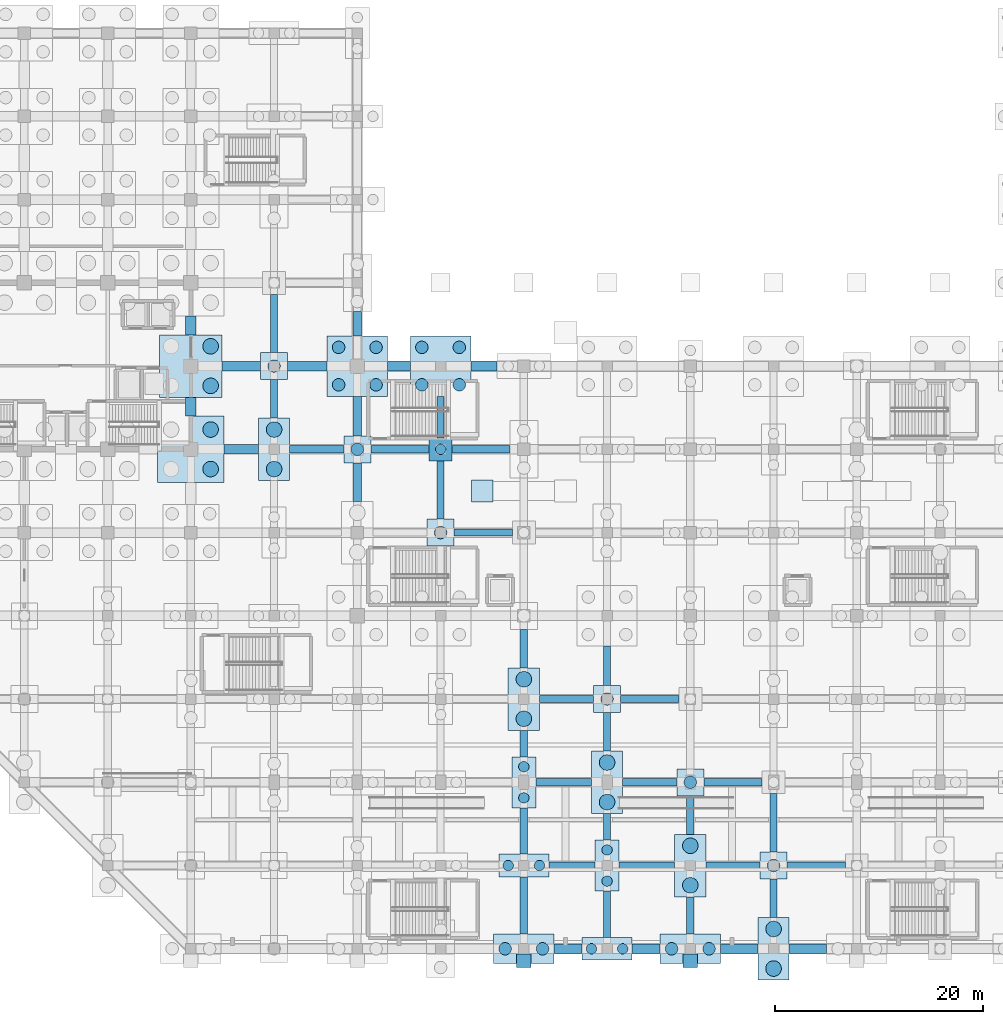
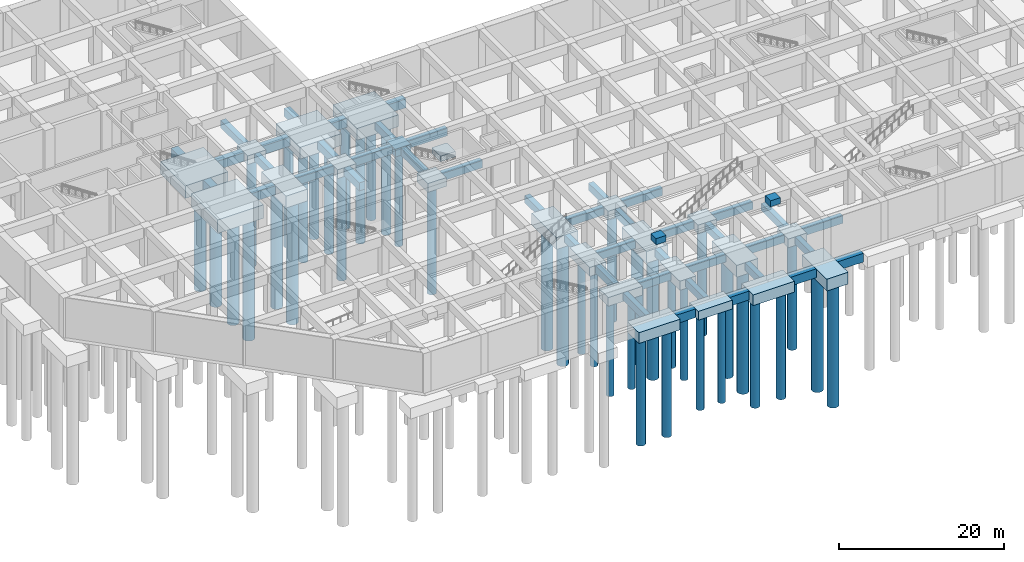
# One storey, part 3 of 26: 68 footings, 41 piles.
"""IFC4 building model written with IfcOpenShell, lengths in metres."""

from ifc_helpers import new_model, si_unit, direction, frame, origin, origin_2d, place, context, subcontext, project, spatial, rectangle, circle, extrude, material, material_profile, profile_set, type_object, element, save


model = new_model("IFC4")

# Units and contexts
model_context = context("Model", 3, precision=1e-05, world=origin(), true_north=direction((0.0, 1.0)))
body_context = subcontext(model_context, "Body", "Model", "MODEL_VIEW")
ifc_project = project(units=[si_unit("LENGTHUNIT", "METRE"), si_unit("AREAUNIT", "SQUARE_METRE"), si_unit("VOLUMEUNIT", "CUBIC_METRE"), si_unit("PLANEANGLEUNIT", "RADIAN"), si_unit("MASSUNIT", "GRAM", prefix="KILO")], contexts=[model_context])

# Site, building, storey
site_placement = place(None, origin())
site = spatial("IfcSite", under=ifc_project, at=site_placement, CompositionType="ELEMENT")
building_placement = place(site_placement, origin())
building = spatial("IfcBuilding", under=site, at=building_placement, Name="Varnela Railside Interchange", CompositionType="ELEMENT")
storey_placement = place(building_placement, frame((0.0, 0.0, -12.60009765625)))
storey = spatial("IfcBuildingStorey", under=building, at=storey_placement, Name="B2", CompositionType="ELEMENT", Elevation=-12.60009765625)

# Footing
ifc_material_1 = material(Name="Concrete C50", Category="concrete")
footing_type_1 = type_object("IfcFootingType", Name="Apron Canopy Pad AP-02", PredefinedType="PAD_FOOTING", material=ifc_material_1)
footing_1_placement = place(storey_placement, frame((64.0, 50.0, -1.60009765625), z_axis=(0.0, 0.0, 1.0), x_axis=(1.0, 0.0, 0.0)))
element("IfcFooting", 1, at=footing_1_placement, inside=storey, type_object=footing_type_1, Name="Apron Canopy Pad AP-02 (FT-0004)", PredefinedType="PAD_FOOTING", context=body_context, shape_type="SweptSolid", body=[
    extrude(rectangle(XDim=2.10009765625, YDim=2.10009765625, at=origin_2d()), origin(), (0.0, 0.0, 1.0), 0.800048828125),
])

# Piles
ifc_material_2 = material(Name="Concrete C40", Category="concrete")
ifc_material_profile_1 = material_profile(ifc_material_2, circle(Radius=0.5, at=origin_2d()), Name="BORED PILE D1000")
ifc_profile_set_1 = profile_set([ifc_material_profile_1], Name="Concrete C40")
pile_type_1 = type_object("IfcPileType", Name="Bored Pile D1000 L14m", PredefinedType="BORED", material=ifc_profile_set_1)
for number, where, z_axis, x_axis, name in (
    (2, (60.0, 54.0, -1.89990234375), (0.0, 0.0, -1.0), (1.0, 0.0, 0.0), "Bored Pile D1000 L14m"),
    (3, (66.5, 14.0, -2.099853515625), (0.0, 0.0, -1.0), (1.0, 0.0, 0.0), "Bored Pile D1000 L14m"),
    (4, (69.5, 14.0, -2.099853515625), (0.0, 0.0, -1.0), (1.0, 0.0, 0.0), "Bored Pile D1000 L14m"),
    (5, (68.0, 20.5, -2.14990234375), (0.0, 0.0, -1.0), (1.0, 0.0, 0.0), "Bored Pile D1000 L14m"),
    (6, (68.0, 23.5, -2.14990234375), (0.0, 0.0, -1.0), (1.0, 0.0, 0.0), "Bored Pile D1000 L14m"),
    (7, (74.5, 6.0, -2.099853515625), (0.0, 0.0, -1.0), (1.0, 0.0, 0.0), "Bored Pile D1000 L14m"),
    (8, (77.5, 6.0, -2.099853515625), (0.0, 0.0, -1.0), (1.0, 0.0, 0.0), "Bored Pile D1000 L14m"),
    (9, (76.0, 12.5, -2.14990234375), (0.0, 0.0, -1.0), (1.0, 0.0, 0.0), "Bored Pile D1000 L14m"),
    (10, (76.0, 15.5, -2.14990234375), (0.0, 0.0, -1.0), (1.0, 0.0, 0.0), "Bored Pile D1000 L14m"),
):
    element("IfcPile", number, at=place(storey_placement, frame(where, z_axis=z_axis, x_axis=x_axis)), inside=storey, type_object=pile_type_1, Name=name, PredefinedType="BORED", context=body_context, shape_type="SweptSolid", body=[
        extrude(circle(Radius=0.5, at=origin_2d()), origin(), (0.0, 0.0, 1.0), 14.0),
    ])
ifc_material_profile_2 = material_profile(ifc_material_2, circle(Radius=0.60009765625, at=origin_2d()), Name="BORED PILE D1200")
ifc_profile_set_2 = profile_set([ifc_material_profile_2], Name="Concrete C40")
pile_type_2 = type_object("IfcPileType", Name="Bored Pile D1200 L16m", PredefinedType="BORED", material=ifc_profile_set_2)
for number, where, z_axis, x_axis, name in (
    (11, (44.0, 62.0, -2.099853515625), (0.0, 0.0, -1.0), (1.0, 0.0, 0.0), "Bored Pile D1200 L16m"),
    (12, (52.0, 54.0, -2.099853515625), (0.0, 0.0, -1.0), (1.0, 0.0, 0.0), "Bored Pile D1200 L16m"),
    (13, (50.199951171875, 60.199951171875, -2.5498046875), (0.0, 0.0, -1.0), (1.0, 0.0, 0.0), "Bored Pile D1200 L16m"),
    (14, (53.800048828125, 60.199951171875, -2.5498046875), (0.0, 0.0, -1.0), (1.0, 0.0, 0.0), "Bored Pile D1200 L16m"),
    (15, (50.199951171875, 63.800048828125, -2.5498046875), (0.0, 0.0, -1.0), (1.0, 0.0, 0.0), "Bored Pile D1200 L16m"),
    (16, (53.800048828125, 63.800048828125, -2.5498046875), (0.0, 0.0, -1.0), (1.0, 0.0, 0.0), "Bored Pile D1200 L16m"),
    (17, (60.0, 46.0, -2.099853515625), (0.0, 0.0, -1.0), (1.0, 0.0, 0.0), "Bored Pile D1200 L16m"),
    (18, (58.199951171875, 60.199951171875, -2.5498046875), (0.0, 0.0, -1.0), (1.0, 0.0, 0.0), "Bored Pile D1200 L16m"),
    (19, (61.800048828125, 60.199951171875, -2.5498046875), (0.0, 0.0, -1.0), (1.0, 0.0, 0.0), "Bored Pile D1200 L16m"),
    (20, (58.199951171875, 63.800048828125, -2.5498046875), (0.0, 0.0, -1.0), (1.0, 0.0, 0.0), "Bored Pile D1200 L16m"),
    (21, (61.800048828125, 63.800048828125, -2.5498046875), (0.0, 0.0, -1.0), (1.0, 0.0, 0.0), "Bored Pile D1200 L16m"),
    (22, (66.199951171875, 6.0, -2.39990234375), (0.0, 0.0, -1.0), (1.0, 0.0, 0.0), "Bored Pile D1200 L16m"),
    (23, (69.800048828125, 6.0, -2.39990234375), (0.0, 0.0, -1.0), (1.0, 0.0, 0.0), "Bored Pile D1200 L16m"),
    (24, (76.0, 30.0, -2.099853515625), (0.0, 0.0, -1.0), (1.0, 0.0, 0.0), "Bored Pile D1200 L16m"),
    (25, (82.199951171875, 6.0, -2.39990234375), (0.0, 0.0, -1.0), (1.0, 0.0, 0.0), "Bored Pile D1200 L16m"),
    (26, (85.800048828125, 6.0, -2.39990234375), (0.0, 0.0, -1.0), (1.0, 0.0, 0.0), "Bored Pile D1200 L16m"),
    (27, (84.0, 22.0, -2.099853515625), (0.0, 0.0, -1.0), (1.0, 0.0, 0.0), "Bored Pile D1200 L16m"),
    (28, (92.0, 14.0, -2.099853515625), (0.0, 0.0, -1.0), (1.0, 0.0, 0.0), "Bored Pile D1200 L16m"),
):
    element("IfcPile", number, at=place(storey_placement, frame(where, z_axis=z_axis, x_axis=x_axis)), inside=storey, type_object=pile_type_2, Name=name, PredefinedType="BORED", context=body_context, shape_type="SweptSolid", body=[
        extrude(circle(Radius=0.60009765625, at=origin_2d()), origin(), (0.0, 0.0, 1.0), 16.0),
    ])
ifc_material_profile_3 = material_profile(ifc_material_2, circle(Radius=0.75, at=origin_2d()), Name="BORED PILE D1500")
ifc_profile_set_3 = profile_set([ifc_material_profile_3], Name="Concrete C40")
pile_type_3 = type_object("IfcPileType", Name="Bored Pile D1500 L18m", PredefinedType="BORED", material=ifc_profile_set_3)
for number, where, z_axis, x_axis, name in (
    (29, (37.89990234375, 52.10009765625, -2.7998046875), (0.0, 0.0, -1.0), (1.0, 0.0, 0.0), "Bored Pile D1500 L18m"),
    (30, (37.89990234375, 55.89990234375, -2.7998046875), (0.0, 0.0, -1.0), (1.0, 0.0, 0.0), "Bored Pile D1500 L18m"),
    (31, (37.89990234375, 60.10009765625, -2.64990234375), (0.0, 0.0, -1.0), (1.0, 0.0, 0.0), "Bored Pile D1500 L18m"),
    (32, (37.89990234375, 63.89990234375, -2.64990234375), (0.0, 0.0, -1.0), (1.0, 0.0, 0.0), "Bored Pile D1500 L18m"),
    (33, (44.0, 52.10009765625, -2.5498046875), (0.0, 0.0, -1.0), (1.0, 0.0, 0.0), "Bored Pile D1500 L18m"),
    (34, (44.0, 55.89990234375, -2.5498046875), (0.0, 0.0, -1.0), (1.0, 0.0, 0.0), "Bored Pile D1500 L18m"),
    (35, (68.0, 28.10009765625, -2.5498046875), (0.0, 0.0, -1.0), (1.0, 0.0, 0.0), "Bored Pile D1500 L18m"),
    (36, (68.0, 31.89990234375, -2.5498046875), (0.0, 0.0, -1.0), (1.0, 0.0, 0.0), "Bored Pile D1500 L18m"),
    (37, (76.0, 20.10009765625, -2.5498046875), (0.0, 0.0, -1.0), (1.0, 0.0, 0.0), "Bored Pile D1500 L18m"),
    (38, (76.0, 23.89990234375, -2.5498046875), (0.0, 0.0, -1.0), (1.0, 0.0, 0.0), "Bored Pile D1500 L18m"),
    (39, (84.0, 12.10009765625, -2.5498046875), (0.0, 0.0, -1.0), (1.0, 0.0, 0.0), "Bored Pile D1500 L18m"),
    (40, (84.0, 15.89990234375, -2.5498046875), (0.0, 0.0, -1.0), (1.0, 0.0, 0.0), "Bored Pile D1500 L18m"),
    (41, (92.0, 4.10009765625, -2.5498046875), (0.0, 0.0, -1.0), (1.0, 0.0, 0.0), "Bored Pile D1500 L18m"),
    (42, (92.0, 7.89990234375, -2.5498046875), (0.0, 0.0, -1.0), (1.0, 0.0, 0.0), "Bored Pile D1500 L18m"),
):
    element("IfcPile", number, at=place(storey_placement, frame(where, z_axis=z_axis, x_axis=x_axis)), inside=storey, type_object=pile_type_3, Name=name, PredefinedType="BORED", context=body_context, shape_type="SweptSolid", body=[
        extrude(circle(Radius=0.75, at=origin_2d()), origin(), (0.0, 0.0, 1.0), 18.0),
    ])

# Footings
footing_type_2 = type_object("IfcFootingType", Name="Four-Pile Core Cap PC-15", PredefinedType="PILE_CAP", material=ifc_material_1)
footing_2_placement = place(storey_placement, frame((36.0, 62.0, -2.64990234375), z_axis=(0.0, 0.0, 1.0), x_axis=(1.0, 0.0, 0.0)))
element("IfcFooting", 43, at=footing_2_placement, inside=storey, type_object=footing_type_2, Name="Four-Pile Core Cap PC-15 (FT-0156)", PredefinedType="PILE_CAP", context=body_context, shape_type="SweptSolid", body=[
    extrude(rectangle(XDim=6.0, YDim=6.0, at=origin_2d()), origin(), (0.0, 0.0, 1.0), 1.85009765625),
])
footing_type_3 = type_object("IfcFootingType", Name="Four-Pile Mega Cap PC-16", PredefinedType="PILE_CAP", material=ifc_material_1)
footing_3_placement = place(storey_placement, frame((36.0, 54.0, -2.7998046875), z_axis=(0.0, 0.0, 1.0), x_axis=(1.0, 0.0, 0.0)))
element("IfcFooting", 44, at=footing_3_placement, inside=storey, type_object=footing_type_3, Name="Four-Pile Mega Cap PC-16 (FT-0155)", PredefinedType="PILE_CAP", context=body_context, shape_type="SweptSolid", body=[
    extrude(rectangle(XDim=6.39990234375, YDim=6.39990234375, at=origin_2d()), origin(), (0.0, 0.0, 1.0), 2.0),
])
footing_type_4 = type_object("IfcFootingType", Name="Four-Pile Transfer PC-12", PredefinedType="PILE_CAP", material=ifc_material_1)
for number, where, z_axis, x_axis, name in (
    (45, (52.0, 62.0, -2.5498046875), (0.0, 0.0, 1.0), (1.0, 0.0, 0.0), "Four-Pile Transfer PC-12 (FT-0180)"),
    (46, (60.0, 62.0, -2.5498046875), (0.0, 0.0, 1.0), (1.0, 0.0, 0.0), "Four-Pile Transfer PC-12 (FT-0192)"),
):
    element("IfcFooting", number, at=place(storey_placement, frame(where, z_axis=z_axis, x_axis=x_axis)), inside=storey, type_object=footing_type_4, Name=name, PredefinedType="PILE_CAP", context=body_context, shape_type="SweptSolid", body=[
        extrude(rectangle(XDim=5.800048828125, YDim=5.800048828125, at=origin_2d()), origin(), (0.0, 0.0, 1.0), 1.75),
    ])
footing_type_5 = type_object("IfcFootingType", Name="Ground Tie Beam GB-01", PredefinedType="FOOTING_BEAM", material=ifc_material_1)
footing_4_placement = place(storey_placement, frame((44.0, 58.85009765625, -1.89990234375), z_axis=(0.0, 0.0, 1.0), x_axis=(1.0, 0.0, 0.0)))
element("IfcFooting", 47, at=footing_4_placement, inside=storey, type_object=footing_type_5, Name="Ground Tie Beam GB-01 (FT-0519)", PredefinedType="FOOTING_BEAM", context=body_context, shape_type="SweptSolid", body=[
    extrude(rectangle(XDim=0.699951171875, YDim=3.699951171875, at=origin_2d()), origin(), (0.0, 0.0, 1.0), 1.10009765625),
])
for number, where, z_axis, x_axis, name in (
    (48, (44.0, 66.10009765625, -1.89990234375), (0.0, 0.0, 1.0), (1.0, 0.0, 0.0), "Ground Tie Beam GB-01 (FT-0520)"),
    (49, (60.0, 50.10009765625, -1.89990234375), (0.0, 0.0, 1.0), (1.0, 0.0, 0.0), "Ground Tie Beam GB-01 (FT-0539)"),
):
    element("IfcFooting", number, at=place(storey_placement, frame(where, z_axis=z_axis, x_axis=x_axis)), inside=storey, type_object=footing_type_5, Name=name, PredefinedType="FOOTING_BEAM", context=body_context, shape_type="SweptSolid", body=[
        extrude(rectangle(XDim=0.699951171875, YDim=5.60009765625, at=origin_2d()), origin(), (0.0, 0.0, 1.0), 1.10009765625),
    ])
footing_5_placement = place(storey_placement, frame((60.0, 57.10009765625, -1.89990234375), z_axis=(0.0, 0.0, 1.0), x_axis=(1.0, 0.0, 0.0)))
element("IfcFooting", 50, at=footing_5_placement, inside=storey, type_object=footing_type_5, Name="Ground Tie Beam GB-01 (FT-0540)", PredefinedType="FOOTING_BEAM", context=body_context, shape_type="SweptSolid", body=[
    extrude(rectangle(XDim=0.699951171875, YDim=4.0, at=origin_2d()), origin(), (0.0, 0.0, 1.0), 1.10009765625),
])
footing_6_placement = place(storey_placement, frame((68.0, 10.14990234375, -1.89990234375), z_axis=(0.0, 0.0, 1.0), x_axis=(1.0, 0.0, 0.0)))
element("IfcFooting", 51, at=footing_6_placement, inside=storey, type_object=footing_type_5, Name="Ground Tie Beam GB-01 (FT-0541)", PredefinedType="FOOTING_BEAM", context=body_context, shape_type="SweptSolid", body=[
    extrude(rectangle(XDim=0.699951171875, YDim=5.5, at=origin_2d()), origin(), (0.0, 0.0, 1.0), 1.10009765625),
])
footing_7_placement = place(storey_placement, frame((68.0, 17.324951171875, -1.89990234375), z_axis=(0.0, 0.0, 1.0), x_axis=(1.0, 0.0, 0.0)))
element("IfcFooting", 52, at=footing_7_placement, inside=storey, type_object=footing_type_5, Name="Ground Tie Beam GB-01 (FT-0542)", PredefinedType="FOOTING_BEAM", context=body_context, shape_type="SweptSolid", body=[
    extrude(rectangle(XDim=0.699951171875, YDim=4.449951171875, at=origin_2d()), origin(), (0.0, 0.0, 1.0), 1.10009765625),
])
footing_8_placement = place(storey_placement, frame((68.0, 25.72509765625, -1.89990234375), z_axis=(0.0, 0.0, 1.0), x_axis=(1.0, 0.0, 0.0)))
element("IfcFooting", 53, at=footing_8_placement, inside=storey, type_object=footing_type_5, Name="Ground Tie Beam GB-01 (FT-0543)", PredefinedType="FOOTING_BEAM", context=body_context, shape_type="SweptSolid", body=[
    extrude(rectangle(XDim=0.699951171875, YDim=2.550048828125, at=origin_2d()), origin(), (0.0, 0.0, 1.0), 1.10009765625),
])
footing_9_placement = place(storey_placement, frame((68.0, 34.85009765625, -1.89990234375), z_axis=(0.0, 0.0, 1.0), x_axis=(1.0, 0.0, 0.0)))
element("IfcFooting", 54, at=footing_9_placement, inside=storey, type_object=footing_type_5, Name="Ground Tie Beam GB-01 (FT-0544)", PredefinedType="FOOTING_BEAM", context=body_context, shape_type="SweptSolid", body=[
    extrude(rectangle(XDim=0.699951171875, YDim=3.699951171875, at=origin_2d()), origin(), (0.0, 0.0, 1.0), 1.10009765625),
])
footing_10_placement = place(storey_placement, frame((76.0, 9.324951171875, -1.89990234375), z_axis=(0.0, 0.0, 1.0), x_axis=(1.0, 0.0, 0.0)))
element("IfcFooting", 55, at=footing_10_placement, inside=storey, type_object=footing_type_5, Name="Ground Tie Beam GB-01 (FT-0381)", PredefinedType="FOOTING_BEAM", context=body_context, shape_type="SweptSolid", body=[
    extrude(rectangle(XDim=0.699951171875, YDim=4.449951171875, at=origin_2d()), origin(), (0.0, 0.0, 1.0), 1.10009765625),
])
footing_11_placement = place(storey_placement, frame((76.0, 17.72509765625, -1.89990234375), z_axis=(0.0, 0.0, 1.0), x_axis=(1.0, 0.0, 0.0)))
element("IfcFooting", 56, at=footing_11_placement, inside=storey, type_object=footing_type_5, Name="Ground Tie Beam GB-01 (FT-0382)", PredefinedType="FOOTING_BEAM", context=body_context, shape_type="SweptSolid", body=[
    extrude(rectangle(XDim=0.699951171875, YDim=2.550048828125, at=origin_2d()), origin(), (0.0, 0.0, 1.0), 1.10009765625),
])
footing_12_placement = place(storey_placement, frame((76.0, 26.85009765625, -1.89990234375), z_axis=(0.0, 0.0, 1.0), x_axis=(1.0, 0.0, 0.0)))
element("IfcFooting", 57, at=footing_12_placement, inside=storey, type_object=footing_type_5, Name="Ground Tie Beam GB-01 (FT-0383)", PredefinedType="FOOTING_BEAM", context=body_context, shape_type="SweptSolid", body=[
    extrude(rectangle(XDim=0.699951171875, YDim=3.699951171875, at=origin_2d()), origin(), (0.0, 0.0, 1.0), 1.10009765625),
])
footing_13_placement = place(storey_placement, frame((76.0, 33.199951171875, -1.89990234375), z_axis=(0.0, 0.0, 1.0), x_axis=(1.0, 0.0, 0.0)))
element("IfcFooting", 58, at=footing_13_placement, inside=storey, type_object=footing_type_5, Name="Ground Tie Beam GB-01 (FT-0384)", PredefinedType="FOOTING_BEAM", context=body_context, shape_type="SweptSolid", body=[
    extrude(rectangle(XDim=0.699951171875, YDim=3.800048828125, at=origin_2d()), origin(), (0.0, 0.0, 1.0), 1.10009765625),
])
footing_14_placement = place(storey_placement, frame((84.0, 9.199951171875, -1.89990234375), z_axis=(0.0, 0.0, 1.0), x_axis=(1.0, 0.0, 0.0)))
element("IfcFooting", 59, at=footing_14_placement, inside=storey, type_object=footing_type_5, Name="Ground Tie Beam GB-01 (FT-0388)", PredefinedType="FOOTING_BEAM", context=body_context, shape_type="SweptSolid", body=[
    extrude(rectangle(XDim=0.699951171875, YDim=3.60009765625, at=origin_2d()), origin(), (0.0, 0.0, 1.0), 1.10009765625),
])
for number, where, z_axis, x_axis, name in (
    (60, (84.0, 18.85009765625, -1.89990234375), (0.0, 0.0, 1.0), (1.0, 0.0, 0.0), "Ground Tie Beam GB-01 (FT-0389)"),
    (61, (92.0, 10.85009765625, -1.89990234375), (0.0, 0.0, 1.0), (1.0, 0.0, 0.0), "Ground Tie Beam GB-01 (FT-0395)"),
):
    element("IfcFooting", number, at=place(storey_placement, frame(where, z_axis=z_axis, x_axis=x_axis)), inside=storey, type_object=footing_type_5, Name=name, PredefinedType="FOOTING_BEAM", context=body_context, shape_type="SweptSolid", body=[
        extrude(rectangle(XDim=0.699951171875, YDim=3.699951171875, at=origin_2d()), origin(), (0.0, 0.0, 1.0), 1.10009765625),
    ])
footing_15_placement = place(storey_placement, frame((92.0, 18.10009765625, -1.89990234375), z_axis=(0.0, 0.0, 1.0), x_axis=(1.0, 0.0, 0.0)))
element("IfcFooting", 62, at=footing_15_placement, inside=storey, type_object=footing_type_5, Name="Ground Tie Beam GB-01 (FT-0396)", PredefinedType="FOOTING_BEAM", context=body_context, shape_type="SweptSolid", body=[
    extrude(rectangle(XDim=0.699951171875, YDim=5.60009765625, at=origin_2d()), origin(), (0.0, 0.0, 1.0), 1.10009765625),
])
footing_16_placement = place(storey_placement, frame((72.625, 14.0, -1.89990234375), z_axis=(0.0, 0.0, 1.0), x_axis=(1.0, 0.0, 0.0)))
element("IfcFooting", 63, at=footing_16_placement, inside=storey, type_object=footing_type_5, Name="Ground Tie Beam GB-01 (FT-0232)", PredefinedType="FOOTING_BEAM", context=body_context, shape_type="SweptSolid", body=[
    extrude(rectangle(XDim=4.449951171875, YDim=0.699951171875, at=origin_2d()), origin(), (0.0, 0.0, 1.0), 1.10009765625),
])
footing_17_placement = place(storey_placement, frame((79.824951171875, 14.0, -1.89990234375), z_axis=(0.0, 0.0, 1.0), x_axis=(1.0, 0.0, 0.0)))
element("IfcFooting", 64, at=footing_17_placement, inside=storey, type_object=footing_type_5, Name="Ground Tie Beam GB-01 (FT-0233)", PredefinedType="FOOTING_BEAM", context=body_context, shape_type="SweptSolid", body=[
    extrude(rectangle(XDim=5.35009765625, YDim=0.699951171875, at=origin_2d()), origin(), (0.0, 0.0, 1.0), 1.10009765625),
])
footing_18_placement = place(storey_placement, frame((88.10009765625, 14.0, -1.89990234375), z_axis=(0.0, 0.0, 1.0), x_axis=(1.0, 0.0, 0.0)))
element("IfcFooting", 65, at=footing_18_placement, inside=storey, type_object=footing_type_5, Name="Ground Tie Beam GB-01 (FT-0220)", PredefinedType="FOOTING_BEAM", context=body_context, shape_type="SweptSolid", body=[
    extrude(rectangle(XDim=5.199951171875, YDim=0.699951171875, at=origin_2d()), origin(), (0.0, 0.0, 1.0), 1.10009765625),
])
footing_19_placement = place(storey_placement, frame((96.10009765625, 14.0, -1.89990234375), z_axis=(0.0, 0.0, 1.0), x_axis=(1.0, 0.0, 0.0)))
element("IfcFooting", 66, at=footing_19_placement, inside=storey, type_object=footing_type_5, Name="Ground Tie Beam GB-01 (FT-0221)", PredefinedType="FOOTING_BEAM", context=body_context, shape_type="SweptSolid", body=[
    extrude(rectangle(XDim=5.60009765625, YDim=0.699951171875, at=origin_2d()), origin(), (0.0, 0.0, 1.0), 1.10009765625),
])
footing_20_placement = place(storey_placement, frame((71.824951171875, 22.0, -1.89990234375), z_axis=(0.0, 0.0, 1.0), x_axis=(1.0, 0.0, 0.0)))
element("IfcFooting", 67, at=footing_20_placement, inside=storey, type_object=footing_type_5, Name="Ground Tie Beam GB-01 (FT-0248)", PredefinedType="FOOTING_BEAM", context=body_context, shape_type="SweptSolid", body=[
    extrude(rectangle(XDim=5.35009765625, YDim=0.699951171875, at=origin_2d()), origin(), (0.0, 0.0, 1.0), 1.10009765625),
])
footing_21_placement = place(storey_placement, frame((80.10009765625, 22.0, -1.89990234375), z_axis=(0.0, 0.0, 1.0), x_axis=(1.0, 0.0, 0.0)))
element("IfcFooting", 68, at=footing_21_placement, inside=storey, type_object=footing_type_5, Name="Ground Tie Beam GB-01 (FT-0249)", PredefinedType="FOOTING_BEAM", context=body_context, shape_type="SweptSolid", body=[
    extrude(rectangle(XDim=5.199951171875, YDim=0.699951171875, at=origin_2d()), origin(), (0.0, 0.0, 1.0), 1.10009765625),
])
footing_22_placement = place(storey_placement, frame((88.10009765625, 22.0, -1.89990234375), z_axis=(0.0, 0.0, 1.0), x_axis=(1.0, 0.0, 0.0)))
element("IfcFooting", 69, at=footing_22_placement, inside=storey, type_object=footing_type_5, Name="Ground Tie Beam GB-01 (FT-0234)", PredefinedType="FOOTING_BEAM", context=body_context, shape_type="SweptSolid", body=[
    extrude(rectangle(XDim=5.60009765625, YDim=0.699951171875, at=origin_2d()), origin(), (0.0, 0.0, 1.0), 1.10009765625),
])
footing_23_placement = place(storey_placement, frame((72.10009765625, 30.0, -1.89990234375), z_axis=(0.0, 0.0, 1.0), x_axis=(1.0, 0.0, 0.0)))
element("IfcFooting", 70, at=footing_23_placement, inside=storey, type_object=footing_type_5, Name="Ground Tie Beam GB-01 (FT-0266)", PredefinedType="FOOTING_BEAM", context=body_context, shape_type="SweptSolid", body=[
    extrude(rectangle(XDim=5.199951171875, YDim=0.699951171875, at=origin_2d()), origin(), (0.0, 0.0, 1.0), 1.10009765625),
])
for number, where, z_axis, x_axis, name in (
    (71, (80.10009765625, 30.0, -1.89990234375), (0.0, 0.0, 1.0), (1.0, 0.0, 0.0), "Ground Tie Beam GB-01 (FT-0267)"),
    (72, (64.10009765625, 46.0, -1.89990234375), (0.0, 0.0, 1.0), (1.0, 0.0, 0.0), "Ground Tie Beam GB-01 (FT-0305)"),
):
    element("IfcFooting", number, at=place(storey_placement, frame(where, z_axis=z_axis, x_axis=x_axis)), inside=storey, type_object=footing_type_5, Name=name, PredefinedType="FOOTING_BEAM", context=body_context, shape_type="SweptSolid", body=[
        extrude(rectangle(XDim=5.60009765625, YDim=0.699951171875, at=origin_2d()), origin(), (0.0, 0.0, 1.0), 1.10009765625),
    ])
footing_24_placement = place(storey_placement, frame((48.10009765625, 54.0, -1.89990234375), z_axis=(0.0, 0.0, 1.0), x_axis=(1.0, 0.0, 0.0)))
element("IfcFooting", 73, at=footing_24_placement, inside=storey, type_object=footing_type_5, Name="Ground Tie Beam GB-01 (FT-0323)", PredefinedType="FOOTING_BEAM", context=body_context, shape_type="SweptSolid", body=[
    extrude(rectangle(XDim=5.199951171875, YDim=0.699951171875, at=origin_2d()), origin(), (0.0, 0.0, 1.0), 1.10009765625),
])
footing_25_placement = place(storey_placement, frame((56.10009765625, 54.0, -1.89990234375), z_axis=(0.0, 0.0, 1.0), x_axis=(1.0, 0.0, 0.0)))
element("IfcFooting", 74, at=footing_25_placement, inside=storey, type_object=footing_type_5, Name="Ground Tie Beam GB-01 (FT-0324)", PredefinedType="FOOTING_BEAM", context=body_context, shape_type="SweptSolid", body=[
    extrude(rectangle(XDim=5.60009765625, YDim=0.699951171875, at=origin_2d()), origin(), (0.0, 0.0, 1.0), 1.10009765625),
])
footing_26_placement = place(storey_placement, frame((63.875, 54.0, -1.89990234375), z_axis=(0.0, 0.0, 1.0), x_axis=(1.0, 0.0, 0.0)))
element("IfcFooting", 75, at=footing_26_placement, inside=storey, type_object=footing_type_5, Name="Ground Tie Beam GB-01 (FT-0325)", PredefinedType="FOOTING_BEAM", context=body_context, shape_type="SweptSolid", body=[
    extrude(rectangle(XDim=5.550048828125, YDim=0.699951171875, at=origin_2d()), origin(), (0.0, 0.0, 1.0), 1.10009765625),
])
footing_type_6 = type_object("IfcFootingType", Name="Ground Tie Beam GB-02", PredefinedType="FOOTING_BEAM", material=ifc_material_1)
footing_27_placement = place(storey_placement, frame((52.0, 50.85009765625, -2.0), z_axis=(0.0, 0.0, 1.0), x_axis=(1.0, 0.0, 0.0)))
element("IfcFooting", 76, at=footing_27_placement, inside=storey, type_object=footing_type_6, Name="Ground Tie Beam GB-02 (FT-0529)", PredefinedType="FOOTING_BEAM", context=body_context, shape_type="SweptSolid", body=[
    extrude(rectangle(XDim=0.800048828125, YDim=3.699951171875, at=origin_2d()), origin(), (0.0, 0.0, 1.0), 1.199951171875),
])
footing_28_placement = place(storey_placement, frame((52.0, 57.199951171875, -2.0), z_axis=(0.0, 0.0, 1.0), x_axis=(1.0, 0.0, 0.0)))
element("IfcFooting", 77, at=footing_28_placement, inside=storey, type_object=footing_type_6, Name="Ground Tie Beam GB-02 (FT-0530)", PredefinedType="FOOTING_BEAM", context=body_context, shape_type="SweptSolid", body=[
    extrude(rectangle(XDim=0.800048828125, YDim=3.800048828125, at=origin_2d()), origin(), (0.0, 0.0, 1.0), 1.199951171875),
])
footing_29_placement = place(storey_placement, frame((52.0, 66.074951171875, -2.0), z_axis=(0.0, 0.0, 1.0), x_axis=(1.0, 0.0, 0.0)))
element("IfcFooting", 78, at=footing_29_placement, inside=storey, type_object=footing_type_6, Name="Ground Tie Beam GB-02 (FT-0531)", PredefinedType="FOOTING_BEAM", context=body_context, shape_type="SweptSolid", body=[
    extrude(rectangle(XDim=0.800048828125, YDim=2.35009765625, at=origin_2d()), origin(), (0.0, 0.0, 1.0), 1.199951171875),
])
footing_type_7 = type_object("IfcFootingType", Name="Ground Tie Beam GB-03", PredefinedType="FOOTING_BEAM", material=ifc_material_1)
for number, where, z_axis, x_axis, name in (
    (79, (72.25, 6.0, -2.10009765625), (0.0, 0.0, 1.0), (1.0, 0.0, 0.0), "Ground Tie Beam GB-03 (FT-0218)"),
    (80, (79.75, 6.0, -2.10009765625), (0.0, 0.0, 1.0), (1.0, 0.0, 0.0), "Ground Tie Beam GB-03 (FT-0219)"),
):
    element("IfcFooting", number, at=place(storey_placement, frame(where, z_axis=z_axis, x_axis=x_axis)), inside=storey, type_object=footing_type_7, Name=name, PredefinedType="FOOTING_BEAM", context=body_context, shape_type="SweptSolid", body=[
        extrude(rectangle(XDim=2.699951171875, YDim=0.89990234375, at=origin_2d()), origin(), (0.0, 0.0, 1.0), 1.300048828125),
    ])
for number, where, z_axis, x_axis, name in (
    (81, (88.699951171875, 6.0, -2.10009765625), (0.0, 0.0, 1.0), (1.0, 0.0, 0.0), "Ground Tie Beam GB-03 (FT-0208)"),
    (82, (95.300048828125, 6.0, -2.10009765625), (0.0, 0.0, 1.0), (1.0, 0.0, 0.0), "Ground Tie Beam GB-03 (FT-0209)"),
):
    element("IfcFooting", number, at=place(storey_placement, frame(where, z_axis=z_axis, x_axis=x_axis)), inside=storey, type_object=footing_type_7, Name=name, PredefinedType="FOOTING_BEAM", context=body_context, shape_type="SweptSolid", body=[
        extrude(rectangle(XDim=3.60009765625, YDim=0.89990234375, at=origin_2d()), origin(), (0.0, 0.0, 1.0), 1.300048828125),
    ])
footing_30_placement = place(storey_placement, frame((40.85009765625, 54.0, -2.10009765625), z_axis=(0.0, 0.0, 1.0), x_axis=(1.0, 0.0, 0.0)))
element("IfcFooting", 83, at=footing_30_placement, inside=storey, type_object=footing_type_7, Name="Ground Tie Beam GB-03 (FT-0322)", PredefinedType="FOOTING_BEAM", context=body_context, shape_type="SweptSolid", body=[
    extrude(rectangle(XDim=3.300048828125, YDim=0.89990234375, at=origin_2d()), origin(), (0.0, 0.0, 1.0), 1.300048828125),
])
footing_31_placement = place(storey_placement, frame((40.85009765625, 62.0, -2.10009765625), z_axis=(0.0, 0.0, 1.0), x_axis=(1.0, 0.0, 0.0)))
element("IfcFooting", 84, at=footing_31_placement, inside=storey, type_object=footing_type_7, Name="Ground Tie Beam GB-03 (FT-0339)", PredefinedType="FOOTING_BEAM", context=body_context, shape_type="SweptSolid", body=[
    extrude(rectangle(XDim=3.699951171875, YDim=0.89990234375, at=origin_2d()), origin(), (0.0, 0.0, 1.0), 1.300048828125),
])
footing_32_placement = place(storey_placement, frame((47.199951171875, 62.0, -2.10009765625), z_axis=(0.0, 0.0, 1.0), x_axis=(1.0, 0.0, 0.0)))
element("IfcFooting", 85, at=footing_32_placement, inside=storey, type_object=footing_type_7, Name="Ground Tie Beam GB-03 (FT-0340)", PredefinedType="FOOTING_BEAM", context=body_context, shape_type="SweptSolid", body=[
    extrude(rectangle(XDim=3.800048828125, YDim=0.89990234375, at=origin_2d()), origin(), (0.0, 0.0, 1.0), 1.300048828125),
])
footing_33_placement = place(storey_placement, frame((56.0, 62.0, -2.10009765625), z_axis=(0.0, 0.0, 1.0), x_axis=(1.0, 0.0, 0.0)))
element("IfcFooting", 86, at=footing_33_placement, inside=storey, type_object=footing_type_7, Name="Ground Tie Beam GB-03 (FT-0341)", PredefinedType="FOOTING_BEAM", context=body_context, shape_type="SweptSolid", body=[
    extrude(rectangle(XDim=2.199951171875, YDim=0.89990234375, at=origin_2d()), origin(), (0.0, 0.0, 1.0), 1.300048828125),
])
footing_34_placement = place(storey_placement, frame((64.14990234375, 62.0, -2.10009765625), z_axis=(0.0, 0.0, 1.0), x_axis=(1.0, 0.0, 0.0)))
element("IfcFooting", 87, at=footing_34_placement, inside=storey, type_object=footing_type_7, Name="Ground Tie Beam GB-03 (FT-0342)", PredefinedType="FOOTING_BEAM", context=body_context, shape_type="SweptSolid", body=[
    extrude(rectangle(XDim=2.5, YDim=0.89990234375, at=origin_2d()), origin(), (0.0, 0.0, 1.0), 1.300048828125),
])
footing_type_8 = type_object("IfcFootingType", Name="Ground Tie Beam GB-04", PredefinedType="FOOTING_BEAM", material=ifc_material_1)
for number, where, z_axis, x_axis, name in (
    (88, (36.0, 58.10009765625, -2.199951171875), (0.0, 0.0, 1.0), (1.0, 0.0, 0.0), "Ground Tie Beam GB-04 (FT-0508)"),
    (89, (36.0, 65.89990234375, -2.199951171875), (0.0, 0.0, 1.0), (1.0, 0.0, 0.0), "Ground Tie Beam GB-04 (FT-0509)"),
):
    element("IfcFooting", number, at=place(storey_placement, frame(where, z_axis=z_axis, x_axis=x_axis)), inside=storey, type_object=footing_type_8, Name=name, PredefinedType="FOOTING_BEAM", context=body_context, shape_type="SweptSolid", body=[
        extrude(rectangle(XDim=1.0, YDim=1.800048828125, at=origin_2d()), origin(), (0.0, 0.0, 1.0), 1.39990234375),
    ])
footing_type_9 = type_object("IfcFootingType", Name="Portal Plinth Pad AP-03", PredefinedType="PAD_FOOTING", material=ifc_material_1)
for number, where, z_axis, x_axis, name in (
    (90, (68.0, 4.85009765625, 11.7001953125), (0.0, 0.0, 1.0), (1.0, 0.0, 0.0), "Portal Plinth Pad AP-03 (FT-0557)"),
    (91, (84.0, 4.85009765625, 11.7001953125), (0.0, 0.0, 1.0), (1.0, 0.0, 0.0), "Portal Plinth Pad AP-03 (FT-0558)"),
):
    element("IfcFooting", number, at=place(storey_placement, frame(where, z_axis=z_axis, x_axis=x_axis)), inside=storey, type_object=footing_type_9, Name=name, PredefinedType="PAD_FOOTING", context=body_context, shape_type="SweptSolid", body=[
        extrude(rectangle(XDim=1.39990234375, YDim=1.300048828125, at=origin_2d()), origin(), (0.0, 0.0, 1.0), 0.89990234375),
    ])
footing_type_10 = type_object("IfcFootingType", Name="Single Large Pile Cap PC-07", PredefinedType="PILE_CAP", material=ifc_material_1)
for number, where, z_axis, x_axis, name in (
    (92, (44.0, 62.0, -2.10009765625), (0.0, 0.0, 1.0), (1.0, 0.0, 0.0), "Single Large Pile Cap PC-07 (FT-0168)"),
    (93, (52.0, 54.0, -2.10009765625), (0.0, 0.0, 1.0), (1.0, 0.0, 0.0), "Single Large Pile Cap PC-07 (FT-0179)"),
    (94, (60.0, 46.0, -2.10009765625), (0.0, 0.0, 1.0), (1.0, 0.0, 0.0), "Single Large Pile Cap PC-07 (FT-0190)"),
    (95, (76.0, 30.0, -2.10009765625), (0.0, 0.0, 1.0), (1.0, 0.0, 0.0), "Single Large Pile Cap PC-07 (FT-0014)"),
    (96, (84.0, 22.0, -2.10009765625), (0.0, 0.0, 1.0), (1.0, 0.0, 0.0), "Single Large Pile Cap PC-07 (FT-0021)"),
    (97, (92.0, 14.0, -2.10009765625), (0.0, 0.0, 1.0), (1.0, 0.0, 0.0), "Single Large Pile Cap PC-07 (FT-0028)"),
):
    element("IfcFooting", number, at=place(storey_placement, frame(where, z_axis=z_axis, x_axis=x_axis)), inside=storey, type_object=footing_type_10, Name=name, PredefinedType="PILE_CAP", context=body_context, shape_type="SweptSolid", body=[
        extrude(rectangle(XDim=2.60009765625, YDim=2.60009765625, at=origin_2d()), origin(), (0.0, 0.0, 1.0), 1.300048828125),
    ])
footing_type_11 = type_object("IfcFootingType", Name="Single Pile Cap PC-01", PredefinedType="PILE_CAP", material=ifc_material_1)
footing_35_placement = place(storey_placement, frame((60.0, 54.0, -1.89990234375), z_axis=(0.0, 0.0, 1.0), x_axis=(1.0, 0.0, 0.0)))
element("IfcFooting", 98, at=footing_35_placement, inside=storey, type_object=footing_type_11, Name="Single Pile Cap PC-01 (FT-0191)", PredefinedType="PILE_CAP", context=body_context, shape_type="SweptSolid", body=[
    extrude(rectangle(XDim=2.199951171875, YDim=2.199951171875, at=origin_2d()), origin(), (0.0, 0.0, 1.0), 1.10009765625),
])
footing_type_12 = type_object("IfcFootingType", Name="Two-Pile Cap X PC-03", PredefinedType="PILE_CAP", material=ifc_material_1)
for number, where, z_axis, x_axis, name in (
    (99, (68.0, 14.0, -2.10009765625), (0.0, 0.0, 1.0), (1.0, 0.0, 0.0), "Two-Pile Cap X PC-03 (FT-0194)"),
    (100, (76.0, 6.0, -2.10009765625), (0.0, 0.0, 1.0), (1.0, 0.0, 0.0), "Two-Pile Cap X PC-03 (FT-0011)"),
):
    element("IfcFooting", number, at=place(storey_placement, frame(where, z_axis=z_axis, x_axis=x_axis)), inside=storey, type_object=footing_type_12, Name=name, PredefinedType="PILE_CAP", context=body_context, shape_type="SweptSolid", body=[
        extrude(rectangle(XDim=4.800048828125, YDim=2.199951171875, at=origin_2d()), origin(), (0.0, 0.0, 1.0), 1.300048828125),
    ])
footing_type_13 = type_object("IfcFootingType", Name="Two-Pile Cap Y PC-04", PredefinedType="PILE_CAP", material=ifc_material_1)
for number, where, z_axis, x_axis, name in (
    (101, (68.0, 22.0, -2.14990234375), (0.0, 0.0, 1.0), (1.0, 0.0, 0.0), "Two-Pile Cap Y PC-04 (FT-0195)"),
    (102, (76.0, 14.0, -2.14990234375), (0.0, 0.0, 1.0), (1.0, 0.0, 0.0), "Two-Pile Cap Y PC-04 (FT-0012)"),
):
    element("IfcFooting", number, at=place(storey_placement, frame(where, z_axis=z_axis, x_axis=x_axis)), inside=storey, type_object=footing_type_13, Name=name, PredefinedType="PILE_CAP", context=body_context, shape_type="SweptSolid", body=[
        extrude(rectangle(XDim=2.300048828125, YDim=4.89990234375, at=origin_2d()), origin(), (0.0, 0.0, 1.0), 1.35009765625),
    ])
footing_type_14 = type_object("IfcFootingType", Name="Two-Pile Heavy Cap Y PC-14", PredefinedType="PILE_CAP", material=ifc_material_1)
for number, where, z_axis, x_axis, name in (
    (103, (44.0, 54.0, -2.5498046875), (0.0, 0.0, 1.0), (1.0, 0.0, 0.0), "Two-Pile Heavy Cap Y PC-14 (FT-0167)"),
    (104, (68.0, 30.0, -2.5498046875), (0.0, 0.0, 1.0), (1.0, 0.0, 0.0), "Two-Pile Heavy Cap Y PC-14 (FT-0196)"),
    (105, (76.0, 22.0, -2.5498046875), (0.0, 0.0, 1.0), (1.0, 0.0, 0.0), "Two-Pile Heavy Cap Y PC-14 (FT-0013)"),
    (106, (84.0, 14.0, -2.5498046875), (0.0, 0.0, 1.0), (1.0, 0.0, 0.0), "Two-Pile Heavy Cap Y PC-14 (FT-0020)"),
    (107, (92.0, 6.0, -2.5498046875), (0.0, 0.0, 1.0), (1.0, 0.0, 0.0), "Two-Pile Heavy Cap Y PC-14 (FT-0027)"),
):
    element("IfcFooting", number, at=place(storey_placement, frame(where, z_axis=z_axis, x_axis=x_axis)), inside=storey, type_object=footing_type_14, Name=name, PredefinedType="PILE_CAP", context=body_context, shape_type="SweptSolid", body=[
        extrude(rectangle(XDim=3.0, YDim=6.0, at=origin_2d()), origin(), (0.0, 0.0, 1.0), 1.75),
    ])
footing_type_15 = type_object("IfcFootingType", Name="Two-Pile V-Pier Cap PC-10", PredefinedType="PILE_CAP", material=ifc_material_1)
for number, where, z_axis, x_axis, name in (
    (108, (68.0, 6.0, -2.39990234375), (0.0, 0.0, 1.0), (1.0, 0.0, 0.0), "Two-Pile V-Pier Cap PC-10 (FT-0193)"),
    (109, (84.0, 6.0, -2.39990234375), (0.0, 0.0, 1.0), (1.0, 0.0, 0.0), "Two-Pile V-Pier Cap PC-10 (FT-0019)"),
):
    element("IfcFooting", number, at=place(storey_placement, frame(where, z_axis=z_axis, x_axis=x_axis)), inside=storey, type_object=footing_type_15, Name=name, PredefinedType="PILE_CAP", context=body_context, shape_type="SweptSolid", body=[
        extrude(rectangle(XDim=5.800048828125, YDim=2.800048828125, at=origin_2d()), origin(), (0.0, 0.0, 1.0), 1.60009765625),
    ])

save(model, "model.ifc")
